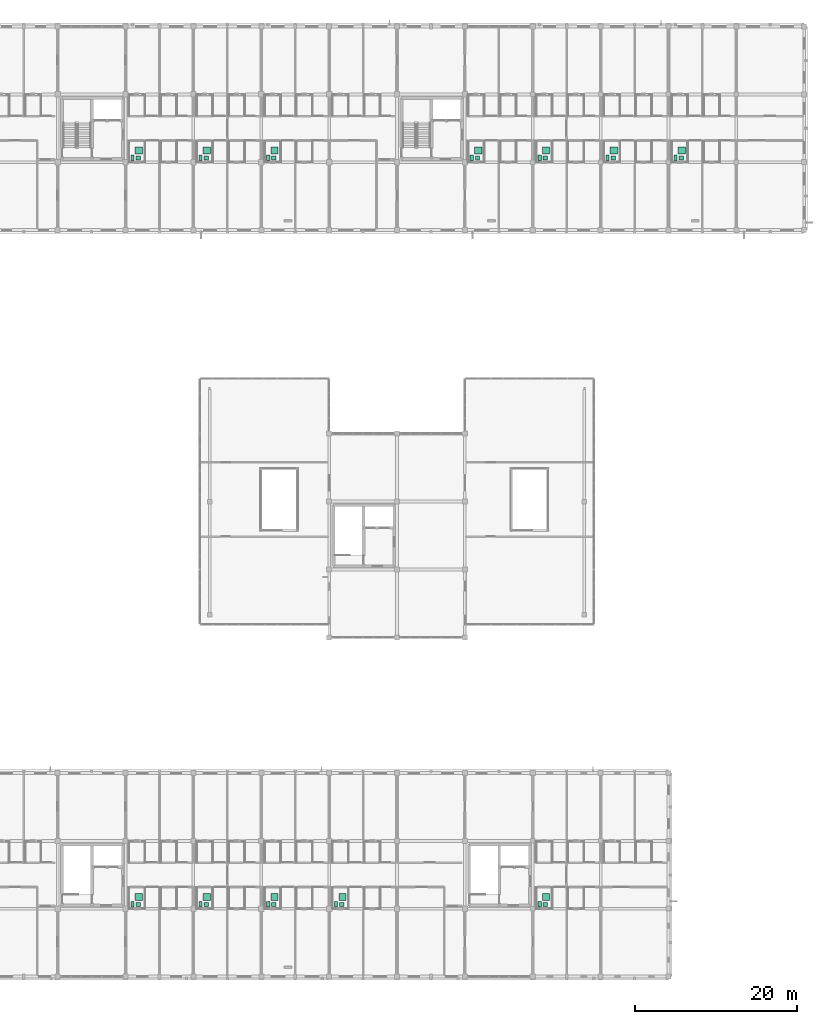
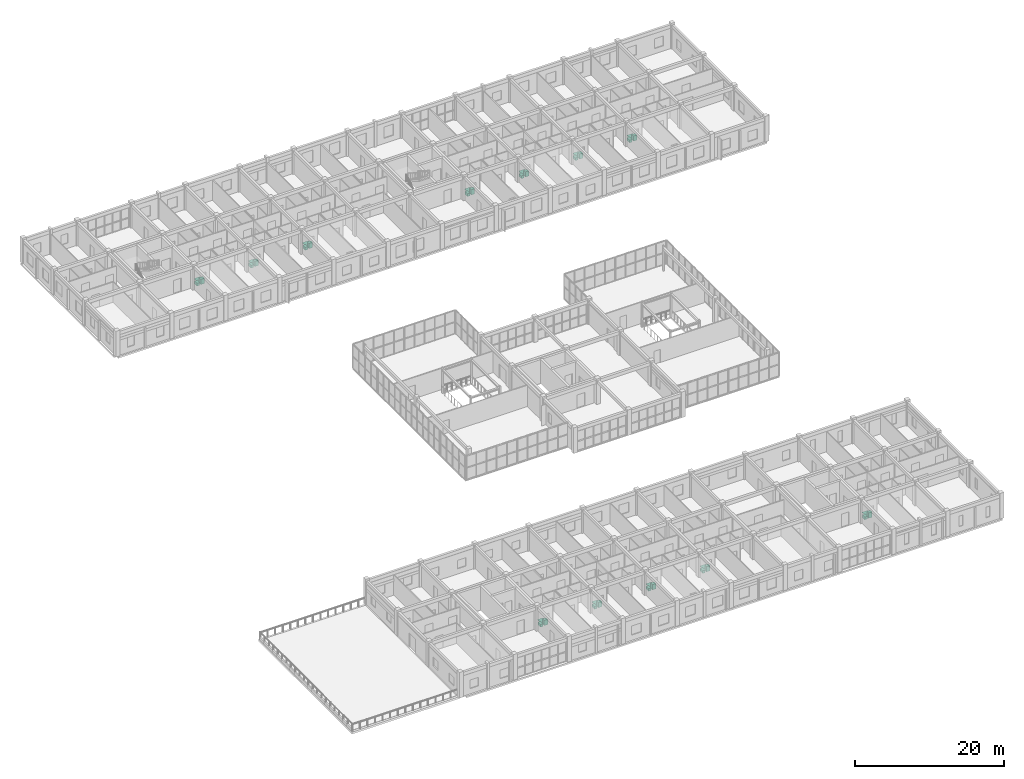
# One storey, part 81 of 81: 36 sanitary terminals.
"""IFC4 building model written with IfcOpenShell, lengths in metres."""

from ifc_helpers import new_model, si_unit, direction, frame, origin, origin_2d, place, context, subcontext, project, spatial, rectangle, extrude, material, type_object, element, save


model = new_model("IFC4")

# Units and contexts
model_context = context("Model", 3, precision=1e-05, world=origin(), true_north=direction((0.0, 1.0)))
body_context = subcontext(model_context, "Body", "Model", "MODEL_VIEW")
ifc_project = project(units=[si_unit("LENGTHUNIT", "METRE"), si_unit("AREAUNIT", "SQUARE_METRE"), si_unit("VOLUMEUNIT", "CUBIC_METRE"), si_unit("PLANEANGLEUNIT", "RADIAN"), si_unit("MASSUNIT", "GRAM", prefix="KILO")], contexts=[model_context])

# Site, building, storey
site_placement = place(None, origin())
site = spatial("IfcSite", under=ifc_project, at=site_placement, CompositionType="ELEMENT")
building_placement = place(site_placement, origin())
building = spatial("IfcBuilding", under=site, at=building_placement, Name="Trelvath General Hospital", CompositionType="ELEMENT")
storey_placement = place(building_placement, frame((0.0, 0.0, 24.60009765625)))
storey = spatial("IfcBuildingStorey", under=building, at=storey_placement, Name="L06", CompositionType="ELEMENT", Elevation=24.60009765625)

# Sanitary terminals
ifc_material_1 = material(Name="Sanitary glazed porcelain")
sanitary_terminal_type_1 = type_object("IfcSanitaryTerminalType", Name="Sanitary Basin", PredefinedType="WASHHANDBASIN", material=ifc_material_1)
for number, where, z_axis, x_axis, name in (
    (1, (51.9599609375, 8.929931640625, -0.000244140625), (0.0, 0.0, 1.0), (1.0, 0.0, 0.0), "Pedestal Washbasin FIT-L06-V6-6-W"),
    (2, (60.360107421875, 8.929931640625, -0.000244140625), (0.0, 0.0, 1.0), (1.0, 0.0, 0.0), "Pedestal Washbasin FIT-L06-V6-7-W"),
    (3, (68.760009765625, 8.929931640625, -0.000244140625), (0.0, 0.0, 1.0), (1.0, 0.0, 0.0), "Pedestal Washbasin FIT-L06-V6-8-W"),
    (4, (77.159912109375, 8.929931640625, -0.000244140625), (0.0, 0.0, 1.0), (1.0, 0.0, 0.0), "Pedestal Washbasin FIT-L06-V6-9-W"),
    (5, (102.360107421875, 8.929931640625, -0.000244140625), (0.0, 0.0, 1.0), (1.0, 0.0, 0.0), "Pedestal Washbasin FIT-L06-V6-12-W"),
    (6, (51.9599609375, 101.330078125, -0.000244140625), (0.0, 0.0, 1.0), (1.0, 0.0, 0.0), "Pedestal Washbasin FIT-L06-V5-6-W"),
    (7, (60.360107421875, 101.330078125, -0.000244140625), (0.0, 0.0, 1.0), (1.0, 0.0, 0.0), "Pedestal Washbasin FIT-L06-V5-7-W"),
    (8, (68.760009765625, 101.330078125, -0.000244140625), (0.0, 0.0, 1.0), (1.0, 0.0, 0.0), "Pedestal Washbasin FIT-L06-V5-8-W"),
    (9, (93.9599609375, 101.330078125, -0.000244140625), (0.0, 0.0, 1.0), (1.0, 0.0, 0.0), "Pedestal Washbasin FIT-L06-V5-11-W"),
    (10, (102.360107421875, 101.330078125, -0.000244140625), (0.0, 0.0, 1.0), (1.0, 0.0, 0.0), "Pedestal Washbasin FIT-L06-V5-12-W"),
    (11, (110.760009765625, 101.330078125, -0.000244140625), (0.0, 0.0, 1.0), (1.0, 0.0, 0.0), "Pedestal Washbasin FIT-L06-V5-13-W"),
    (12, (119.159912109375, 101.330078125, -0.000244140625), (0.0, 0.0, 1.0), (1.0, 0.0, 0.0), "Pedestal Washbasin FIT-L06-V5-14-W"),
):
    element("IfcSanitaryTerminal", number, at=place(storey_placement, frame(where, z_axis=z_axis, x_axis=x_axis)), inside=storey, type_object=sanitary_terminal_type_1, Name=name, PredefinedType="WASHHANDBASIN", context=body_context, shape_type="SweptSolid", body=[
        extrude(rectangle(XDim=0.550048828125, YDim=0.449951171875, at=origin_2d()), origin(), (0.0, 0.0, 1.0), 0.85009765625),
    ])
ifc_material_2 = material(Name="Sanitary glazed porcelain")
sanitary_terminal_type_2 = type_object("IfcSanitaryTerminalType", Name="Sanitary Shower", PredefinedType="SHOWER", material=ifc_material_2)
for number, where, z_axis, x_axis, name in (
    (13, (52.0400390625, 9.840087890625, -0.000244140625), (0.0, 0.0, 1.0), (1.0, 0.0, 0.0), "Roll-in Shower FIT-L06-V6-6-W"),
    (14, (60.43994140625, 9.840087890625, -0.000244140625), (0.0, 0.0, 1.0), (1.0, 0.0, 0.0), "Roll-in Shower FIT-L06-V6-7-W"),
    (15, (68.840087890625, 9.840087890625, -0.000244140625), (0.0, 0.0, 1.0), (1.0, 0.0, 0.0), "Roll-in Shower FIT-L06-V6-8-W"),
    (16, (77.239990234375, 9.840087890625, -0.000244140625), (0.0, 0.0, 1.0), (1.0, 0.0, 0.0), "Roll-in Shower FIT-L06-V6-9-W"),
    (17, (102.43994140625, 9.840087890625, -0.000244140625), (0.0, 0.0, 1.0), (1.0, 0.0, 0.0), "Roll-in Shower FIT-L06-V6-12-W"),
    (18, (52.0400390625, 102.239990234375, -0.000244140625), (0.0, 0.0, 1.0), (1.0, 0.0, 0.0), "Roll-in Shower FIT-L06-V5-6-W"),
    (19, (60.43994140625, 102.239990234375, -0.000244140625), (0.0, 0.0, 1.0), (1.0, 0.0, 0.0), "Roll-in Shower FIT-L06-V5-7-W"),
    (20, (68.840087890625, 102.239990234375, -0.000244140625), (0.0, 0.0, 1.0), (1.0, 0.0, 0.0), "Roll-in Shower FIT-L06-V5-8-W"),
    (21, (94.0400390625, 102.239990234375, -0.000244140625), (0.0, 0.0, 1.0), (1.0, 0.0, 0.0), "Roll-in Shower FIT-L06-V5-11-W"),
    (22, (102.43994140625, 102.239990234375, -0.000244140625), (0.0, 0.0, 1.0), (1.0, 0.0, 0.0), "Roll-in Shower FIT-L06-V5-12-W"),
    (23, (110.840087890625, 102.239990234375, -0.000244140625), (0.0, 0.0, 1.0), (1.0, 0.0, 0.0), "Roll-in Shower FIT-L06-V5-13-W"),
    (24, (119.239990234375, 102.239990234375, -0.000244140625), (0.0, 0.0, 1.0), (1.0, 0.0, 0.0), "Roll-in Shower FIT-L06-V5-14-W"),
):
    element("IfcSanitaryTerminal", number, at=place(storey_placement, frame(where, z_axis=z_axis, x_axis=x_axis)), inside=storey, type_object=sanitary_terminal_type_2, Name=name, PredefinedType="SHOWER", context=body_context, shape_type="SweptSolid", body=[
        extrude(rectangle(XDim=0.89990234375, YDim=0.89990234375, at=origin_2d()), origin(), (0.0, 0.0, 1.0), 0.080078125),
    ])
ifc_material_3 = material(Name="Sanitary glazed porcelain")
sanitary_terminal_type_3 = type_object("IfcSanitaryTerminalType", Name="Sanitary WC", PredefinedType="TOILETPAN", material=ifc_material_3)
for number, where, z_axis, x_axis, name in (
    (25, (51.260009765625, 8.969970703125, 0.0), (0.0, 0.0, 1.0), (1.0, 0.0, 0.0), "WC Pan FIT-L06-V6-6-W"),
    (26, (59.659912109375, 8.969970703125, 0.0), (0.0, 0.0, 1.0), (1.0, 0.0, 0.0), "WC Pan FIT-L06-V6-7-W"),
    (27, (68.06005859375, 8.969970703125, 0.0), (0.0, 0.0, 1.0), (1.0, 0.0, 0.0), "WC Pan FIT-L06-V6-8-W"),
    (28, (76.4599609375, 8.969970703125, 0.0), (0.0, 0.0, 1.0), (1.0, 0.0, 0.0), "WC Pan FIT-L06-V6-9-W"),
    (29, (101.659912109375, 8.969970703125, 0.0), (0.0, 0.0, 1.0), (1.0, 0.0, 0.0), "WC Pan FIT-L06-V6-12-W"),
    (30, (51.260009765625, 101.3701171875, 0.0), (0.0, 0.0, 1.0), (1.0, 0.0, 0.0), "WC Pan FIT-L06-V5-6-W"),
    (31, (59.659912109375, 101.3701171875, 0.0), (0.0, 0.0, 1.0), (1.0, 0.0, 0.0), "WC Pan FIT-L06-V5-7-W"),
    (32, (68.06005859375, 101.3701171875, 0.0), (0.0, 0.0, 1.0), (1.0, 0.0, 0.0), "WC Pan FIT-L06-V5-8-W"),
    (33, (93.260009765625, 101.3701171875, 0.0), (0.0, 0.0, 1.0), (1.0, 0.0, 0.0), "WC Pan FIT-L06-V5-11-W"),
    (34, (101.659912109375, 101.3701171875, 0.0), (0.0, 0.0, 1.0), (1.0, 0.0, 0.0), "WC Pan FIT-L06-V5-12-W"),
    (35, (110.06005859375, 101.3701171875, 0.0), (0.0, 0.0, 1.0), (1.0, 0.0, 0.0), "WC Pan FIT-L06-V5-13-W"),
    (36, (118.4599609375, 101.3701171875, 0.0), (0.0, 0.0, 1.0), (1.0, 0.0, 0.0), "WC Pan FIT-L06-V5-14-W"),
):
    element("IfcSanitaryTerminal", number, at=place(storey_placement, frame(where, z_axis=z_axis, x_axis=x_axis)), inside=storey, type_object=sanitary_terminal_type_3, Name=name, PredefinedType="TOILETPAN", context=body_context, shape_type="SweptSolid", body=[
        extrude(rectangle(XDim=0.39990234375, YDim=0.64990234375, at=origin_2d()), origin(), (0.0, 0.0, 1.0), 0.449951171875),
    ])

save(model, "model.ifc")
